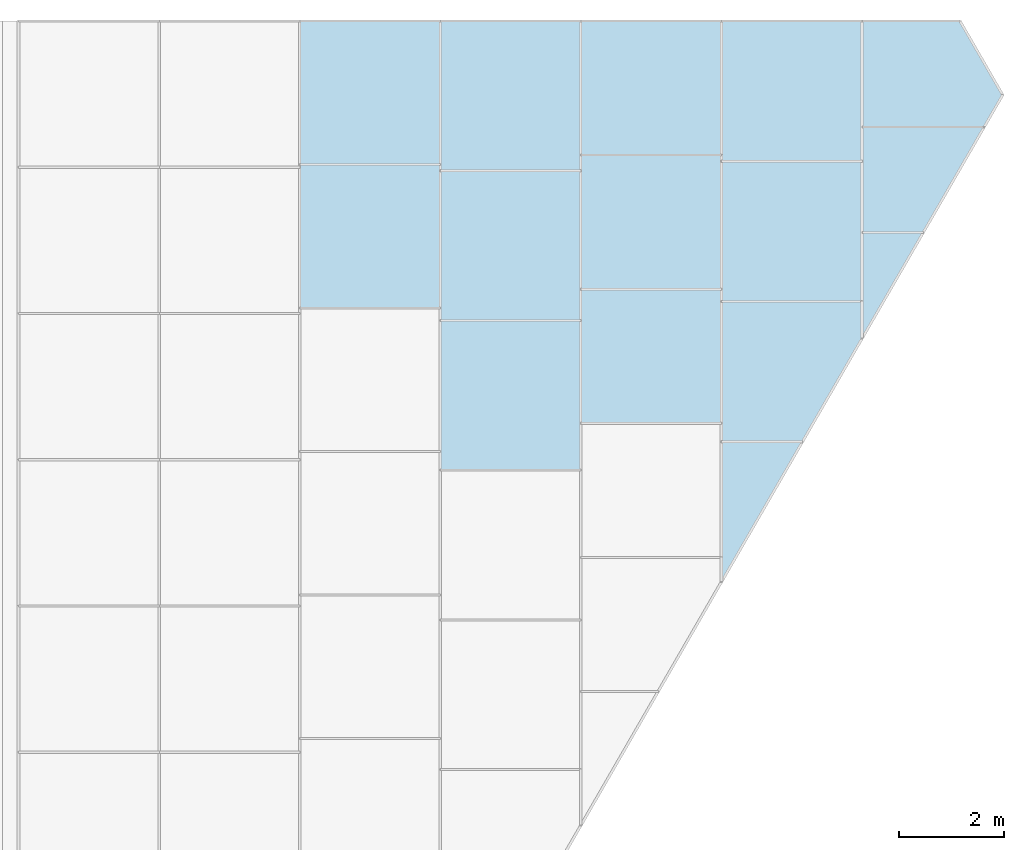
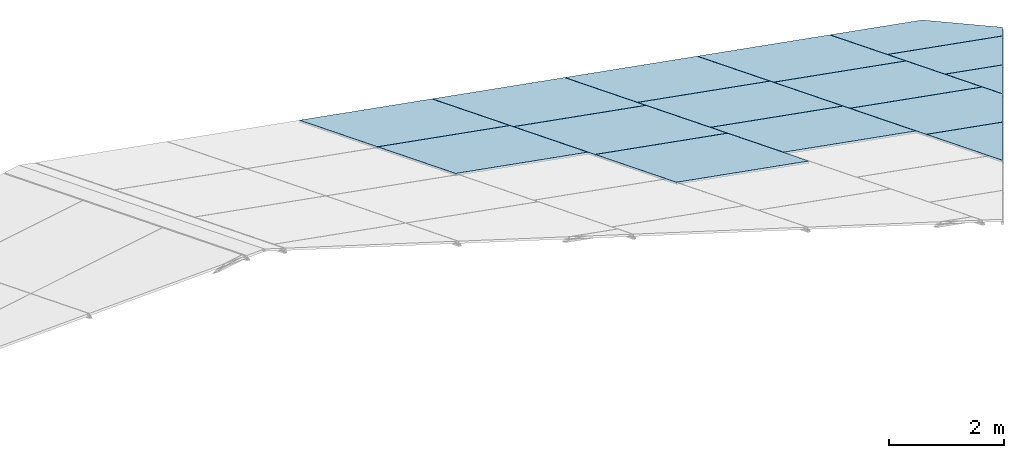
# One storey, part 10 of 12: 15 plates, 15 elements without a shape of their own.
"""IFC4 building model written with IfcOpenShell, lengths in metres."""

from ifc_helpers import new_model, si_unit, direction, frame, origin, place, context, subcontext, project, spatial, polyline, outline, extrude, material, layer, layer_set, type_object, element, aggregate, save


model = new_model("IFC4")

# Units and contexts
model_context = context("Model", 3, precision=1e-05, world=origin(), true_north=direction((0.0, 1.0)))
body_context = subcontext(model_context, "Body", "Model", "MODEL_VIEW")
ifc_project = project(units=[si_unit("LENGTHUNIT", "METRE"), si_unit("AREAUNIT", "SQUARE_METRE"), si_unit("VOLUMEUNIT", "CUBIC_METRE"), si_unit("PLANEANGLEUNIT", "RADIAN"), si_unit("MASSUNIT", "GRAM", prefix="KILO")], contexts=[model_context])

# Site, building, storey
site_placement = place(None, origin())
site = spatial("IfcSite", under=ifc_project, at=site_placement, CompositionType="ELEMENT")
building_placement = place(site_placement, origin())
building = spatial("IfcBuilding", under=site, at=building_placement, Name="Aloe Facet Convention Tower", CompositionType="ELEMENT")
storey_placement = place(building_placement, frame((0.0, 0.0, 306.5)))
storey = spatial("IfcBuildingStorey", under=building, at=storey_placement, Name="C6", CompositionType="ELEMENT", Elevation=306.5)

# Curtain wall, plate
ifc_material_1 = material(Name="Aluminium, anodised", Category="aluminium")
curtain_wall_type = type_object("IfcCurtainWallType", Name="EV-CW-LANTERN", PredefinedType="USERDEFINED", material=ifc_material_1)
curtain_wall_1_placement = place(storey_placement, origin())
curtain_wall_1 = element("IfcCurtainWall", 1, at=curtain_wall_1_placement, inside=storey, type_object=curtain_wall_type, Name="CW-RE26", ObjectType="ROOF LANTERN GLAZING", PredefinedType="USERDEFINED")
ifc_material_2 = material(Name="Clear double glazing", Category="glass")
ifc_layer = layer(ifc_material_2, 0.0400390625)
ifc_layer_set = layer_set([ifc_layer], Name="EV-PANEL-LANTERN")
plate_type = type_object("IfcPlateType", Name="EV-PANEL-LANTERN", PredefinedType="CURTAIN_PANEL", material=ifc_layer_set)
plate_1_placement = place(storey_placement, frame((85.6494140625, 131.76806640625, -8.690673828125), z_axis=(0.164951440661, 0.364678842636, 0.916406222129), x_axis=(0.984182592847, 1.5068059e-05, -0.177157059441)))
plate_1 = element("IfcPlate", 2, at=plate_1_placement, type_object=plate_type, Name="Roof glazing E26", PredefinedType="CURTAIN_PANEL", context=body_context, shape_type="SweptSolid", body=[
    extrude(outline(polyline([(0.0, 0.0), (2.707393173860946, 2.7755575615628914e-17), (2.5155762122369802, -2.921180480921262), (-0.19177371038875018, -2.9210928568774626), (0.0, 0.0)])), origin(), (0.0, 0.0, -1.0), 0.0400390625),
])
aggregate(curtain_wall_1, [plate_1])

curtain_wall_2_placement = place(storey_placement, origin())
curtain_wall_2 = element("IfcCurtainWall", 3, at=curtain_wall_2_placement, inside=storey, type_object=curtain_wall_type, Name="CW-RE27", ObjectType="ROOF LANTERN GLAZING", PredefinedType="USERDEFINED")
plate_2_placement = place(storey_placement, frame((85.6494140625, 134.49609375, -9.7763671875), z_axis=(0.164951440661, 0.364678842636, 0.916406222129), x_axis=(0.984184683749, -1.50683e-05, -0.1771454432)))
plate_2 = element("IfcPlate", 4, at=plate_2_placement, type_object=plate_type, Name="Roof glazing E27", PredefinedType="CURTAIN_PANEL", context=body_context, shape_type="SweptSolid", body=[
    extrude(outline(polyline([(0.0, 0.0), (2.707349924043717, 2.7755575615628914e-17), (2.5156707556416134, -2.9210990621506627), (-0.19172241680132227, -2.9211866875942536), (0.0, 0.0)])), origin(), (0.0, 0.0, -1.0), 0.0400390625),
])
aggregate(curtain_wall_2, [plate_2])

curtain_wall_3_placement = place(storey_placement, origin())
curtain_wall_3 = element("IfcCurtainWall", 5, at=curtain_wall_3_placement, inside=storey, type_object=curtain_wall_type, Name="CW-RE32", ObjectType="ROOF LANTERN GLAZING", PredefinedType="USERDEFINED")
plate_3_placement = place(storey_placement, frame((88.322021484375, 128.803955078125, -7.9921875), z_axis=(0.164978075021, 0.364670039525, 0.916404930713), x_axis=(0.984178607384, 0.0, -0.177179199589)))
plate_3 = element("IfcPlate", 6, at=plate_3_placement, type_object=plate_type, Name="Roof glazing E32", PredefinedType="CURTAIN_PANEL", context=body_context, shape_type="SweptSolid", body=[
    extrude(outline(polyline([(0.0, 0.0), (2.7076334538067823, 0.0), (2.507528234740083, -3.048031964459847), (-0.20010521906669956, -3.048031964459847), (0.0, 0.0)])), origin(), (0.0, 0.0, -1.0), 0.0400390625),
])
aggregate(curtain_wall_3, [plate_3])

curtain_wall_4_placement = place(storey_placement, origin())
curtain_wall_4 = element("IfcCurtainWall", 7, at=curtain_wall_4_placement, inside=storey, type_object=curtain_wall_type, Name="CW-RE33", ObjectType="ROOF LANTERN GLAZING", PredefinedType="USERDEFINED")
plate_4_placement = place(storey_placement, frame((88.322021484375, 131.64990234375, -9.124755859375), z_axis=(0.164976187542, 0.364697239219, 0.916394446322), x_axis=(0.984178607384, 0.0, -0.177179199589)))
plate_4 = element("IfcPlate", 8, at=plate_4_placement, type_object=plate_type, Name="Roof glazing E33", PredefinedType="CURTAIN_PANEL", context=body_context, shape_type="SweptSolid", body=[
    extrude(outline(polyline([(0.0, 0.0), (2.7076334538067823, 0.0), (2.507528234740083, -3.047804637437013), (-0.20010521906669956, -3.047804637437013), (0.0, 0.0)])), origin(), (0.0, 0.0, -1.0), 0.0400390625),
])
aggregate(curtain_wall_4, [plate_4])

curtain_wall_5_placement = place(storey_placement, origin())
curtain_wall_5 = element("IfcCurtainWall", 9, at=curtain_wall_5_placement, inside=storey, type_object=curtain_wall_type, Name="CW-RE34", ObjectType="ROOF LANTERN GLAZING", PredefinedType="USERDEFINED")
plate_5_placement = place(storey_placement, frame((88.322021484375, 134.49609375, -10.25732421875), z_axis=(0.164978075021, 0.364670039525, 0.916404930713), x_axis=(0.984178607384, 0.0, -0.177179199589)))
plate_5 = element("IfcPlate", 10, at=plate_5_placement, type_object=plate_type, Name="Roof glazing E34", PredefinedType="CURTAIN_PANEL", context=body_context, shape_type="SweptSolid", body=[
    extrude(outline(polyline([(0.0, 0.0), (2.7076334538067823, 0.0), (2.507528234740083, -3.048031964459847), (-0.20010521906669956, -3.048031964459847), (0.0, 0.0)])), origin(), (0.0, 0.0, -1.0), 0.0400390625),
])
aggregate(curtain_wall_5, [plate_5])

curtain_wall_6_placement = place(storey_placement, origin())
curtain_wall_6 = element("IfcCurtainWall", 11, at=curtain_wall_6_placement, inside=storey, type_object=curtain_wall_type, Name="CW-RE38", ObjectType="ROOF LANTERN GLAZING", PredefinedType="USERDEFINED")
plate_6_placement = place(storey_placement, frame((90.99462890625, 129.3984375, -8.7099609375), z_axis=(0.164938363482, 0.364656341266, 0.916417529856), x_axis=(0.984187513023, -1.5066219e-05, -0.177129723599)))
plate_6 = element("IfcPlate", 12, at=plate_6_placement, type_object=plate_type, Name="Roof glazing E38", PredefinedType="CURTAIN_PANEL", context=body_context, shape_type="SweptSolid", body=[
    extrude(outline(polyline([(0.0, 0.0), (2.707590205516709, 2.7755575615628914e-17), (2.528552760151734, -2.7288824347693477), (-0.17908068992640072, -2.7289700550580727), (0.0, 0.0)])), origin(), (0.0, 0.0, -1.0), 0.0400390625),
])
aggregate(curtain_wall_6, [plate_6])

curtain_wall_7_placement = place(storey_placement, origin())
curtain_wall_7 = element("IfcCurtainWall", 13, at=curtain_wall_7_placement, inside=storey, type_object=curtain_wall_type, Name="CW-RE39", ObjectType="ROOF LANTERN GLAZING", PredefinedType="USERDEFINED")
plate_7_placement = place(storey_placement, frame((90.99462890625, 131.947265625, -9.72412109375), z_axis=(0.164938363482, 0.364656341266, 0.916417529856), x_axis=(0.984185422744, 1.5065979e-05, -0.177141337443)))
plate_7 = element("IfcPlate", 14, at=plate_7_placement, type_object=plate_type, Name="Roof glazing E39", PredefinedType="CURTAIN_PANEL", context=body_context, shape_type="SweptSolid", body=[
    extrude(outline(polyline([(0.0, 0.0), (2.7076334514958513, 0.0), (2.528464450911992, -2.728964258494046), (-0.17912575318702312, -2.7288766396047817), (0.0, 0.0)])), origin(), (0.0, 0.0, -1.0), 0.0400390625),
])
aggregate(curtain_wall_7, [plate_7])

curtain_wall_8_placement = place(storey_placement, origin())
curtain_wall_8 = element("IfcCurtainWall", 15, at=curtain_wall_8_placement, inside=storey, type_object=curtain_wall_type, Name="CW-RE40", ObjectType="ROOF LANTERN GLAZING", PredefinedType="USERDEFINED")
plate_8_placement = place(storey_placement, frame((90.99462890625, 134.49609375, -10.738525390625), z_axis=(0.164938363482, 0.364656341266, 0.916417529856), x_axis=(0.984187513023, -1.5066219e-05, -0.177129723599)))
plate_8 = element("IfcPlate", 16, at=plate_8_placement, type_object=plate_type, Name="Roof glazing E40", PredefinedType="CURTAIN_PANEL", context=body_context, shape_type="SweptSolid", body=[
    extrude(outline(polyline([(0.0, 0.0), (2.707590205516709, 2.7755575615628914e-17), (2.528552760151734, -2.7288824347693477), (-0.17908068992640072, -2.7289700550580727), (0.0, 0.0)])), origin(), (0.0, 0.0, -1.0), 0.0400390625),
])
aggregate(curtain_wall_8, [plate_8])

curtain_wall_9_placement = place(storey_placement, origin())
curtain_wall_9 = element("IfcCurtainWall", 17, at=curtain_wall_9_placement, inside=storey, type_object=curtain_wall_type, Name="CW-RE41", ObjectType="ROOF LANTERN GLAZING", PredefinedType="USERDEFINED")
plate_9_placement = place(storey_placement, frame((95.19580078125, 126.498291015625, -8.31201171875), z_axis=(0.164984172336, 0.364639269171, 0.91641607704), x_axis=(-0.458585237286, -0.794246188922, 0.398588223015)))
plate_9 = element("IfcPlate", 18, at=plate_9_placement, type_object=plate_type, Name="Roof glazing E41", PredefinedType="CURTAIN_PANEL", context=body_context, shape_type="SweptSolid", body=[
    extrude(outline(polyline([(0.0, 0.0), (3.332685372833757, 1.8041124150158794e-16), (0.8105352814323562, -1.324575827583076), (0.0, 0.0)])), origin(), (0.0, 0.0, -1.0), 0.0400390625),
])
aggregate(curtain_wall_9, [plate_9])

curtain_wall_10_placement = place(storey_placement, origin())
curtain_wall_10 = element("IfcCurtainWall", 19, at=curtain_wall_10_placement, inside=storey, type_object=curtain_wall_type, Name="CW-RE42", ObjectType="ROOF LANTERN GLAZING", PredefinedType="USERDEFINED")
plate_10_placement = place(storey_placement, frame((93.66748046875, 126.506103515625, -8.0400390625), z_axis=(0.164921642184, 0.364710067291, 0.916399159076), x_axis=(2.238636e-06, 0.929121791666, -0.369773844731)))
plate_10 = element("IfcPlate", 20, at=plate_10_placement, type_object=plate_type, Name="Roof glazing E42", PredefinedType="CURTAIN_PANEL", context=body_context, shape_type="SweptSolid", body=[
    extrude(outline(polyline([(0.0, 0.0), (2.8607370642291277, 0.0), (3.0380466988785546, -2.7015375096245773), (2.2873304341696468, -2.7015404716383777), (0.10201623503474115, -1.5540002089960279), (0.0, 0.0)])), origin(), (0.0, 0.0, -1.0), 0.0400390625),
])
aggregate(curtain_wall_10, [plate_10])

curtain_wall_11_placement = place(storey_placement, origin())
curtain_wall_11 = element("IfcCurtainWall", 21, at=curtain_wall_11_placement, inside=storey, type_object=curtain_wall_type, Name="CW-RE43", ObjectType="ROOF LANTERN GLAZING", PredefinedType="USERDEFINED")
plate_11_placement = place(storey_placement, frame((93.66748046875, 131.830078125, -10.15869140625), z_axis=(0.164951046163, 0.364684528515, 0.916404030454), x_axis=(0.984182592814, 1.5068258e-05, -0.177157059622)))
plate_11 = element("IfcPlate", 22, at=plate_11_placement, type_object=plate_type, Name="Roof glazing E43", PredefinedType="CURTAIN_PANEL", context=body_context, shape_type="SweptSolid", body=[
    extrude(outline(polyline([(0.0, 0.0), (2.707393173860956, 2.7755575615628914e-17), (2.5199455206697294, -2.8545892729009776), (-0.18740440195596716, -2.8545016474909906), (0.0, 0.0)])), origin(), (0.0, 0.0, -1.0), 0.0400390625),
])
aggregate(curtain_wall_11, [plate_11])

curtain_wall_12_placement = place(storey_placement, origin())
curtain_wall_12 = element("IfcCurtainWall", 23, at=curtain_wall_12_placement, inside=storey, type_object=curtain_wall_type, Name="CW-RE44", ObjectType="ROOF LANTERN GLAZING", PredefinedType="USERDEFINED")
plate_12_placement = place(storey_placement, frame((93.66748046875, 134.49609375, -11.219482421875), z_axis=(0.164994418646, 0.364645512351, 0.916411748145), x_axis=(0.984175776426, 0.0, -0.177194924013)))
plate_12 = element("IfcPlate", 24, at=plate_12_placement, type_object=plate_type, Name="Roof glazing E44", PredefinedType="CURTAIN_PANEL", context=body_context, shape_type="SweptSolid", body=[
    extrude(outline(polyline([(0.0, 0.0), (2.7073931761720242, 0.0), (2.5199887789981648, -2.854501649996912), (-0.1874043971738597, -2.8545016499969122), (0.0, 0.0)])), origin(), (0.0, 0.0, -1.0), 0.0400390625),
])
aggregate(curtain_wall_12, [plate_12])

curtain_wall_13_placement = place(storey_placement, origin())
curtain_wall_13 = element("IfcCurtainWall", 25, at=curtain_wall_13_placement, inside=storey, type_object=curtain_wall_type, Name="CW-RE45", ObjectType="ROOF LANTERN GLAZING", PredefinedType="USERDEFINED")
plate_13_placement = place(storey_placement, frame((97.490478515625, 130.472900390625, -10.306884765625), z_axis=(0.165116216262, 0.3646080309, 0.916404724415), x_axis=(-0.458574786966, -0.794233624031, 0.398625281709)))
plate_13 = element("IfcPlate", 26, at=plate_13_placement, type_object=plate_type, Name="Roof glazing E45", PredefinedType="CURTAIN_PANEL", context=body_context, shape_type="SweptSolid", body=[
    extrude(outline(polyline([(0.0, 0.0), (2.5086216200637987, 1.3877787807814457e-16), (0.6101653467667885, -0.9970255399194152), (0.0, 0.0)])), origin(), (0.0, 0.0, -1.0), 0.0400390625),
])
aggregate(curtain_wall_13, [plate_13])

curtain_wall_14_placement = place(storey_placement, origin())
curtain_wall_14 = element("IfcCurtainWall", 27, at=curtain_wall_14_placement, inside=storey, type_object=curtain_wall_type, Name="CW-RE46", ObjectType="ROOF LANTERN GLAZING", PredefinedType="USERDEFINED")
plate_14_placement = place(storey_placement, frame((96.340087890625, 132.484619140625, -10.900146484375), z_axis=(0.164955430205, 0.364644784106, 0.916419056693), x_axis=(0.984181926218, 2.0144633e-05, -0.177160762305)))
plate_14 = element("IfcPlate", 28, at=plate_14_placement, type_object=plate_type, Name="Roof glazing E46", PredefinedType="CURTAIN_PANEL", context=body_context, shape_type="SweptSolid", body=[
    extrude(outline(polyline([(0.0, 0.0), (2.34894476540186, 5.551115123125783e-17), (1.032307931086498, -2.1518444946478077), (-0.141258597638548, -2.1517682878622626), (0.0, 0.0)])), origin(), (0.0, 0.0, -1.0), 0.0400390625),
])
aggregate(curtain_wall_14, [plate_14])

curtain_wall_15_placement = place(storey_placement, origin())
curtain_wall_15 = element("IfcCurtainWall", 29, at=curtain_wall_15_placement, inside=storey, type_object=curtain_wall_type, Name="CW-RE47", ObjectType="ROOF LANTERN GLAZING", PredefinedType="USERDEFINED")
plate_15_placement = place(storey_placement, frame((96.340087890625, 132.492431640625, -10.9033203125), z_axis=(0.164970000145, 0.364696256734, 0.9163959512), x_axis=(-2.110499e-06, 0.929126426564, -0.369762198521)))
plate_15 = element("IfcPlate", 30, at=plate_15_placement, type_object=plate_type, Name="Roof glazing E47", PredefinedType="CURTAIN_PANEL", context=body_context, shape_type="SweptSolid", body=[
    extrude(outline(polyline([(0.0, 0.0), (2.1564902156211416, -1.3877787807814457e-17), (2.27998109745809, -1.8807573214515287), (0.8255496341334528, -2.70106639721662), (0.15418305924264508, -2.3485842509180106), (0.0, 0.0)])), origin(), (0.0, 0.0, -1.0), 0.0400390625),
])
aggregate(curtain_wall_15, [plate_15])

save(model, "model.ifc")
